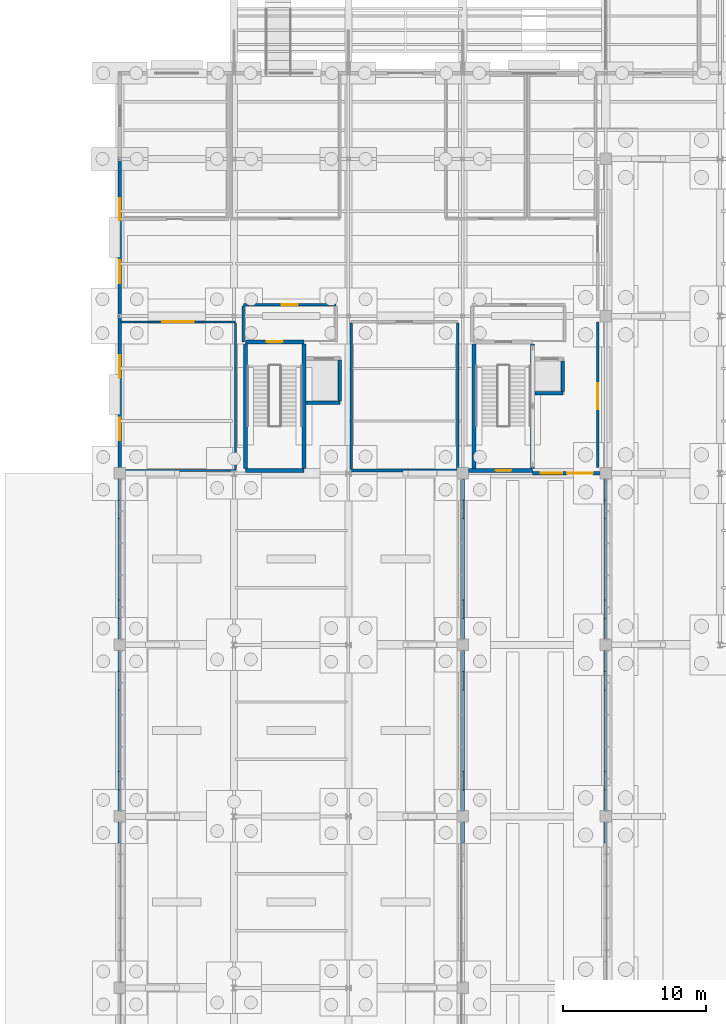
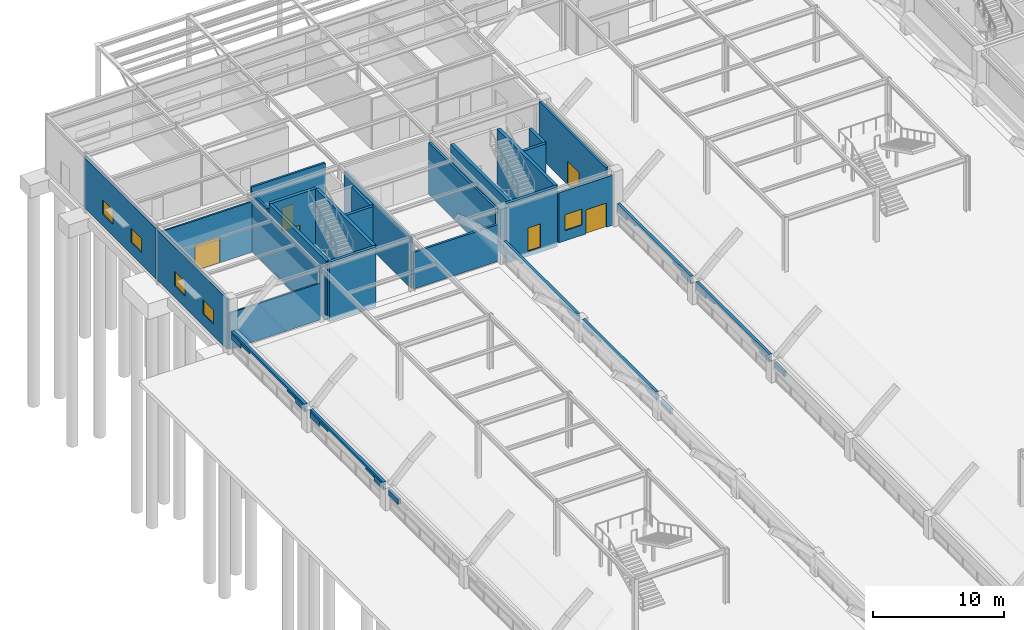
# One storey, part 102 of 129: 56 walls, 6 doors, 5 windows, 11 openings.
"""IFC4 building model written with IfcOpenShell, lengths in metres."""

from ifc_helpers import new_model, si_unit, direction, frame, frame_2d, origin, place, context, subcontext, project, spatial, rectangle, extrude, material, layer, layer_set, type_object, element, fill, save


model = new_model("IFC4")

# Units and contexts
model_context = context("Model", 3, precision=1e-05, world=origin(), true_north=direction((0.0, 1.0)))
body_context = subcontext(model_context, "Body", "Model", "MODEL_VIEW")
ifc_project = project(units=[si_unit("LENGTHUNIT", "METRE"), si_unit("AREAUNIT", "SQUARE_METRE"), si_unit("VOLUMEUNIT", "CUBIC_METRE"), si_unit("PLANEANGLEUNIT", "RADIAN"), si_unit("MASSUNIT", "GRAM", prefix="KILO")], contexts=[model_context])

# Site, building, storey
site_placement = place(None, origin())
site = spatial("IfcSite", under=ifc_project, at=site_placement, CompositionType="ELEMENT")
building_placement = place(site_placement, origin())
building = spatial("IfcBuilding", under=site, at=building_placement, Name="Sitalva Quay Ferry Terminal", CompositionType="ELEMENT")
storey_placement = place(building_placement, origin())
storey = spatial("IfcBuildingStorey", under=building, at=storey_placement, Name="L01", CompositionType="ELEMENT", Elevation=0.0)

# Walls
ifc_material_1 = material(Name="Concrete C40/50", Category="concrete")
ifc_layer_1 = layer(ifc_material_1, 0.215087890625)
ifc_layer_set_1 = layer_set([ifc_layer_1], Name="Concrete C40/50")
wall_type_1 = type_object("IfcWallType", Name="Wall_ArchHaunchIn_C40", PredefinedType="SOLIDWALL", material=ifc_layer_set_1)
for number, where, z_axis, x_axis, name in (
    (1, (8.0, 55.85009765625, 1.639892578125), (0.0, 0.0, 1.0), (0.0, 1.0, 0.0), "V2-W shallow-arch inner haunch S EW-L01-068"),
    (2, (8.0, 62.85009765625, 1.639892578125), (0.0, 0.0, 1.0), (0.0, 1.0, 0.0), "V2-W shallow-arch inner haunch N EW-L01-069"),
    (3, (32.0, 55.85009765625, 1.639892578125), (0.0, 0.0, 1.0), (0.0, 1.0, 0.0), "V2-E shallow-arch inner haunch S EW-L01-073"),
    (4, (32.0, 62.85009765625, 1.639892578125), (0.0, 0.0, 1.0), (0.0, 1.0, 0.0), "V2-E shallow-arch inner haunch N EW-L01-074"),
    (5, (42.0, 55.85009765625, 1.639892578125), (0.0, 0.0, 1.0), (0.0, 1.0, 0.0), "V1-W shallow-arch inner haunch S EW-L01-078"),
    (6, (42.0, 62.85009765625, 1.639892578125), (0.0, 0.0, 1.0), (0.0, 1.0, 0.0), "V1-W shallow-arch inner haunch N EW-L01-079"),
    (7, (8.0, 67.85009765625, 1.639892578125), (0.0, 0.0, 1.0), (0.0, 1.0, 0.0), "V2-W shallow-arch inner haunch S EW-L01-083"),
    (8, (8.0, 74.85009765625, 1.639892578125), (0.0, 0.0, 1.0), (0.0, 1.0, 0.0), "V2-W shallow-arch inner haunch N EW-L01-084"),
    (9, (32.0, 67.85009765625, 1.639892578125), (0.0, 0.0, 1.0), (0.0, 1.0, 0.0), "V2-E shallow-arch inner haunch S EW-L01-088"),
    (10, (32.0, 74.85009765625, 1.639892578125), (0.0, 0.0, 1.0), (0.0, 1.0, 0.0), "V2-E shallow-arch inner haunch N EW-L01-089"),
    (11, (42.0, 67.85009765625, 1.639892578125), (0.0, 0.0, 1.0), (0.0, 1.0, 0.0), "V1-W shallow-arch inner haunch S EW-L01-093"),
    (12, (42.0, 74.85009765625, 1.639892578125), (0.0, 0.0, 1.0), (0.0, 1.0, 0.0), "V1-W shallow-arch inner haunch N EW-L01-094"),
):
    element("IfcWall", number, at=place(storey_placement, frame(where, z_axis=z_axis, x_axis=x_axis)), inside=storey, type_object=wall_type_1, Name=name, PredefinedType="SOLIDWALL", context=body_context, shape_type="SweptSolid", body=[
        extrude(rectangle(XDim=1.2998046875, YDim=0.215087890625, at=frame_2d((0.64990234375, 0.0))), origin(), (0.0, 0.0, 1.0), 0.239990234375),
    ])
ifc_material_2 = material(Name="Concrete C40/50", Category="concrete")
ifc_layer_2 = layer(ifc_material_2, 0.235107421875)
ifc_layer_set_2 = layer_set([ifc_layer_2], Name="Concrete C40/50")
wall_type_2 = type_object("IfcWallType", Name="Wall_ArchHaunchOut_C40", PredefinedType="SOLIDWALL", material=ifc_layer_set_2)
for number, where, z_axis, x_axis, name in (
    (13, (8.0, 52.14990234375, 1.3798828125), (0.0, 0.0, 1.0), (0.0, 1.0, 0.0), "V2-W shallow-arch outer haunch N EW-L01-055"),
    (14, (32.0, 52.14990234375, 1.3798828125), (0.0, 0.0, 1.0), (0.0, 1.0, 0.0), "V2-E shallow-arch outer haunch N EW-L01-060"),
    (15, (42.0, 52.14990234375, 1.3798828125), (0.0, 0.0, 1.0), (0.0, 1.0, 0.0), "V1-W shallow-arch outer haunch N EW-L01-065"),
    (16, (8.0, 54.39990234375, 1.3798828125), (0.0, 0.0, 1.0), (0.0, 1.0, 0.0), "V2-W shallow-arch outer haunch S EW-L01-067"),
    (17, (8.0, 64.14990234375, 1.3798828125), (0.0, 0.0, 1.0), (0.0, 1.0, 0.0), "V2-W shallow-arch outer haunch N EW-L01-070"),
    (18, (32.0, 54.39990234375, 1.3798828125), (0.0, 0.0, 1.0), (0.0, 1.0, 0.0), "V2-E shallow-arch outer haunch S EW-L01-072"),
    (19, (32.0, 64.14990234375, 1.3798828125), (0.0, 0.0, 1.0), (0.0, 1.0, 0.0), "V2-E shallow-arch outer haunch N EW-L01-075"),
    (20, (42.0, 54.39990234375, 1.3798828125), (0.0, 0.0, 1.0), (0.0, 1.0, 0.0), "V1-W shallow-arch outer haunch S EW-L01-077"),
    (21, (42.0, 64.14990234375, 1.3798828125), (0.0, 0.0, 1.0), (0.0, 1.0, 0.0), "V1-W shallow-arch outer haunch N EW-L01-080"),
    (22, (8.0, 66.39990234375, 1.3798828125), (0.0, 0.0, 1.0), (0.0, 1.0, 0.0), "V2-W shallow-arch outer haunch S EW-L01-082"),
    (23, (8.0, 76.14990234375, 1.3798828125), (0.0, 0.0, 1.0), (0.0, 1.0, 0.0), "V2-W shallow-arch outer haunch N EW-L01-085"),
    (24, (32.0, 66.39990234375, 1.3798828125), (0.0, 0.0, 1.0), (0.0, 1.0, 0.0), "V2-E shallow-arch outer haunch S EW-L01-087"),
    (25, (32.0, 76.14990234375, 1.3798828125), (0.0, 0.0, 1.0), (0.0, 1.0, 0.0), "V2-E shallow-arch outer haunch N EW-L01-090"),
    (26, (42.0, 66.39990234375, 1.3798828125), (0.0, 0.0, 1.0), (0.0, 1.0, 0.0), "V1-W shallow-arch outer haunch S EW-L01-092"),
    (27, (42.0, 76.14990234375, 1.3798828125), (0.0, 0.0, 1.0), (0.0, 1.0, 0.0), "V1-W shallow-arch outer haunch N EW-L01-095"),
):
    element("IfcWall", number, at=place(storey_placement, frame(where, z_axis=z_axis, x_axis=x_axis)), inside=storey, type_object=wall_type_2, Name=name, PredefinedType="SOLIDWALL", context=body_context, shape_type="SweptSolid", body=[
        extrude(rectangle(XDim=1.4501953125, YDim=0.235107421875, at=frame_2d((0.72509765625, 0.0))), origin(), (0.0, 0.0, 1.0), 0.5),
    ])
ifc_material_3 = material(Name="Concrete C40/50", Category="concrete")
ifc_layer_3 = layer(ifc_material_3, 0.2451171875)
ifc_layer_set_3 = layer_set([ifc_layer_3], Name="Concrete C40/50")
wall_type_3 = type_object("IfcWallType", Name="Wall_ArchSpandrel_C40", PredefinedType="SOLIDWALL", material=ifc_layer_set_3)
for number, where, z_axis, x_axis, name in (
    (28, (8.0, 54.39990234375, 1.8798828125), (0.0, 0.0, 1.0), (0.0, 1.0, 0.0), "V2-W shallow-arch Concrete C40/50 spandrel fascia EW-L01-066"),
    (29, (32.0, 54.39990234375, 1.8798828125), (0.0, 0.0, 1.0), (0.0, 1.0, 0.0), "V2-E shallow-arch Concrete C40/50 spandrel fascia EW-L01-071"),
    (30, (42.0, 54.39990234375, 1.8798828125), (0.0, 0.0, 1.0), (0.0, 1.0, 0.0), "V1-W shallow-arch Concrete C40/50 spandrel fascia EW-L01-076"),
    (31, (8.0, 66.39990234375, 1.8798828125), (0.0, 0.0, 1.0), (0.0, 1.0, 0.0), "V2-W shallow-arch Concrete C40/50 spandrel fascia EW-L01-081"),
    (32, (32.0, 66.39990234375, 1.8798828125), (0.0, 0.0, 1.0), (0.0, 1.0, 0.0), "V2-E shallow-arch Concrete C40/50 spandrel fascia EW-L01-086"),
    (33, (42.0, 66.39990234375, 1.8798828125), (0.0, 0.0, 1.0), (0.0, 1.0, 0.0), "V1-W shallow-arch Concrete C40/50 spandrel fascia EW-L01-091"),
):
    element("IfcWall", number, at=place(storey_placement, frame(where, z_axis=z_axis, x_axis=x_axis)), inside=storey, type_object=wall_type_3, Name=name, PredefinedType="SOLIDWALL", context=body_context, shape_type="SweptSolid", body=[
        extrude(rectangle(XDim=11.2001953125, YDim=0.2451171875, at=frame_2d((5.60009765625, 0.0))), origin(), (0.0, 0.0, 1.0), 0.22021484375),
    ])
ifc_material_4 = material(Name="Concrete C40/50", Category="concrete")
ifc_layer_4 = layer(ifc_material_4, 0.280029296875)
ifc_layer_set_4 = layer_set([ifc_layer_4], Name="Concrete C40/50")
wall_type_4 = type_object("IfcWallType", Name="Wall_CoreShear_280", PredefinedType="SHEAR", material=ifc_layer_set_4)
wall_1_placement = place(storey_placement, frame((16.800048828125, 78.199951171875, -0.449951171875), z_axis=(0.0, 0.0, 1.0), x_axis=(1.0, 0.0, 0.0)))
element("IfcWall", 34, at=wall_1_placement, inside=storey, type_object=wall_type_4, Name="Core C3 L01 south shear wall", PredefinedType="SHEAR", context=body_context, shape_type="SweptSolid", body=[
    extrude(rectangle(XDim=4.099853515625, YDim=0.280029296875, at=frame_2d((2.0498046875, 0.0))), origin(), (0.0, 0.0, 1.0), 5.570068359375),
])

# Wall, opening, door
wall_2_placement = place(storey_placement, frame((16.800048828125, 87.199951171875, -0.449951171875), z_axis=(0.0, 0.0, 1.0), x_axis=(1.0, 0.0, 0.0)))
wall_2 = element("IfcWall", 35, at=wall_2_placement, inside=storey, type_object=wall_type_4, Name="Core C3 L01 north shear wall", PredefinedType="SHEAR", context=body_context, shape_type="SweptSolid", body=[
    extrude(rectangle(XDim=4.099853515625, YDim=0.280029296875, at=frame_2d((2.0498046875, 0.0))), origin(), (0.0, 0.0, 1.0), 5.570068359375),
])
opening_1_placement = place(wall_2_placement, frame((1.5, 0.0, 0.449951171875)))
opening_1 = element("IfcOpeningElement", 36, at=opening_1_placement, cuts=wall_2, Name="Opening D-L01-016", PredefinedType="OPENING", context=body_context, shape_type="SweptSolid", body=[
    extrude(rectangle(XDim=1.10009765625, YDim=2.199951171875, at=frame_2d((0.550048828125, 1.10009765625))), frame((0.0, 0.14990234375, 0.0), z_axis=(0.0, -1.0, 0.0), x_axis=(1.0, 0.0, 0.0)), (0.0, 0.0, 1.0), 0.300048828125),
])
ifc_material_5 = material(Name="Galvanised Steel Fire Door", Category="steel")
door_type_1 = type_object("IfcDoorType", Name="Door_CoreExit_1100x2200", OperationType="SINGLE_SWING_LEFT", PredefinedType="DOOR", material=ifc_material_5)
door_1_placement = place(opening_1_placement, origin())
door_1 = element("IfcDoor", 37, at=door_1_placement, inside=storey, type_object=door_type_1, Name="DOOR-D-L01-016 Protected stair ST-03 door D-L01-016", OperationType="SINGLE_SWING_RIGHT", OverallHeight=2.199951171875, OverallWidth=1.10009765625, PredefinedType="DOOR", context=body_context, shape_type="SweptSolid", body=[
    extrude(rectangle(XDim=1.10009765625, YDim=2.199951171875, at=frame_2d((0.550048828125, 1.10009765625))), frame((0.0, 0.02490234375, 0.0), z_axis=(0.0, -1.0, 0.0), x_axis=(1.0, 0.0, 0.0)), (0.0, 0.0, 1.0), 0.050048828125),
])
fill(opening_1, door_1)

# Walls
for number, where, z_axis, x_axis, name in (
    (38, (16.800048828125, 78.340087890625, -0.449951171875), (0.0, 0.0, 1.0), (0.0, 1.0, 0.0), "Core C3 L01 west shear wall"),
    (39, (20.89990234375, 78.340087890625, -0.449951171875), (0.0, 0.0, 1.0), (0.0, 1.0, 0.0), "Core C3 L01 east shear wall"),
):
    element("IfcWall", number, at=place(storey_placement, frame(where, z_axis=z_axis, x_axis=x_axis)), inside=storey, type_object=wall_type_4, Name=name, PredefinedType="SHEAR", context=body_context, shape_type="SweptSolid", body=[
        extrude(rectangle(XDim=8.719970703125, YDim=0.280029296875, at=frame_2d((4.35986328125, 0.0))), origin(), (0.0, 0.0, 1.0), 5.570068359375),
    ])

# Wall, opening, door
wall_3_placement = place(storey_placement, frame((36.89990234375, 78.199951171875, -0.449951171875), z_axis=(0.0, 0.0, 1.0), x_axis=(-1.0, 0.0, 0.0)))
wall_3 = element("IfcWall", 40, at=wall_3_placement, inside=storey, type_object=wall_type_4, Name="Core C5 L01 south shear wall", PredefinedType="SHEAR", context=body_context, shape_type="SweptSolid", body=[
    extrude(rectangle(XDim=4.5, YDim=0.280029296875, at=frame_2d((2.25, 0.0))), origin(), (0.0, 0.0, 1.0), 5.570068359375),
])
opening_2_placement = place(wall_3_placement, frame((1.5, 0.0, 0.449951171875)))
opening_2 = element("IfcOpeningElement", 41, at=opening_2_placement, cuts=wall_3, Name="Opening ED-L01-C5", PredefinedType="OPENING", context=body_context, shape_type="SweptSolid", body=[
    extrude(rectangle(XDim=1.10009765625, YDim=2.199951171875, at=frame_2d((0.550048828125, 1.10009765625))), frame((0.0, 0.14990234375, 0.0), z_axis=(0.0, -1.0, 0.0), x_axis=(1.0, 0.0, 0.0)), (0.0, 0.0, 1.0), 0.300048828125),
])
door_2_placement = place(opening_2_placement, origin())
door_2 = element("IfcDoor", 42, at=door_2_placement, inside=storey, type_object=door_type_1, Name="EDOOR-ED-L01-C5 Exit stair ST-05 direct courtyard exit door ED-L01-C5", OperationType="SINGLE_SWING_LEFT", OverallHeight=2.199951171875, OverallWidth=1.10009765625, PredefinedType="DOOR", context=body_context, shape_type="SweptSolid", body=[
    extrude(rectangle(XDim=1.10009765625, YDim=2.199951171875, at=frame_2d((0.550048828125, 1.10009765625))), frame((0.0, 0.02490234375, 0.0), z_axis=(0.0, -1.0, 0.0), x_axis=(1.0, 0.0, 0.0)), (0.0, 0.0, 1.0), 0.050048828125),
])
fill(opening_2, door_2)

# Walls
for number, where, z_axis, x_axis, name in (
    (43, (32.800048828125, 78.340087890625, -0.449951171875), (0.0, 0.0, 1.0), (0.0, 1.0, 0.0), "Core C5 L01 west shear wall"),
    (44, (36.89990234375, 78.340087890625, -0.449951171875), (0.0, 0.0, 1.0), (0.0, 1.0, 0.0), "Core C5 L01 east shear wall"),
):
    element("IfcWall", number, at=place(storey_placement, frame(where, z_axis=z_axis, x_axis=x_axis)), inside=storey, type_object=wall_type_4, Name=name, PredefinedType="SHEAR", context=body_context, shape_type="SweptSolid", body=[
        extrude(rectangle(XDim=8.719970703125, YDim=0.280029296875, at=frame_2d((4.35986328125, 0.0))), origin(), (0.0, 0.0, 1.0), 5.570068359375),
    ])

# Wall, openings, windows
ifc_material_6 = material(Name="Insulated Precast Concrete C40/50", Category="concrete")
ifc_layer_5 = layer(ifc_material_6, 0.239990234375)
ifc_layer_set_5 = layer_set([ifc_layer_5], Name="Insulated Precast Concrete C40/50")
wall_type_5 = type_object("IfcWallType", Name="Wall_ExtClad_240", PredefinedType="ELEMENTEDWALL", material=ifc_layer_set_5)
wall_4_placement = place(storey_placement, frame((8.0, 78.300048828125, 0.0), z_axis=(0.0, 0.0, 1.0), x_axis=(0.0, 1.0, 0.0)))
wall_4 = element("IfcWall", 45, at=wall_4_placement, inside=storey, type_object=wall_type_5, Name="L01 west service wing wall EW-L01-138", PredefinedType="ELEMENTEDWALL", context=body_context, shape_type="SweptSolid", body=[
    extrude(rectangle(XDim=10.822021484375, YDim=0.239990234375, at=frame_2d((5.4111328125, 0.0))), origin(), (0.0, 0.0, 1.0), 4.694091796875),
])
opening_3_placement = place(wall_4_placement, frame((2.0, 0.0, 1.10009765625)))
opening_3 = element("IfcOpeningElement", 46, at=opening_3_placement, cuts=wall_4, Name="Opening WN-L01-011", PredefinedType="OPENING", context=body_context, shape_type="SweptSolid", body=[
    extrude(rectangle(XDim=1.60009765625, YDim=1.300048828125, at=frame_2d((0.800048828125, 0.64990234375))), frame((0.0, 0.1298828125, 0.0), z_axis=(0.0, -1.0, 0.0), x_axis=(1.0, 0.0, 0.0)), (0.0, 0.0, 1.0), 0.260009765625),
])
opening_4_placement = place(wall_4_placement, frame((6.39990234375, 0.0, 1.10009765625)))
opening_4 = element("IfcOpeningElement", 47, at=opening_4_placement, cuts=wall_4, Name="Opening WN-L01-012", PredefinedType="OPENING", context=body_context, shape_type="SweptSolid", body=[
    extrude(rectangle(XDim=1.550048828125, YDim=1.35009765625, at=frame_2d((0.77490234375, 0.675048828125))), frame((0.0, 0.1298828125, 0.0), z_axis=(0.0, -1.0, 0.0), x_axis=(1.0, 0.0, 0.0)), (0.0, 0.0, 1.0), 0.260009765625),
])
ifc_material_7 = material(Name="Laminated Security Glazing", Category="glass")
window_type_1 = type_object("IfcWindowType", Name="Win_CustomsB_1550x1350", PartitioningType="SINGLE_PANEL", PredefinedType="WINDOW", material=ifc_material_7)
window_1_placement = place(opening_4_placement, origin())
window_1 = element("IfcWindow", 48, at=window_1_placement, inside=storey, type_object=window_type_1, Name="Customs hall west window WN-L01-012", OverallHeight=1.35009765625, OverallWidth=1.550048828125, PartitioningType="SINGLE_PANEL", PredefinedType="WINDOW", context=body_context, shape_type="SweptSolid", body=[
    extrude(rectangle(XDim=1.550048828125, YDim=1.35009765625, at=frame_2d((0.77490234375, 0.675048828125))), frame((0.0, 0.030029296875, 0.0), z_axis=(0.0, -1.0, 0.0), x_axis=(1.0, 0.0, 0.0)), (0.0, 0.0, 1.0), 0.06005859375),
])
fill(opening_4, window_1)
ifc_material_8 = material(Name="Laminated Security Glazing", Category="glass")
window_type_2 = type_object("IfcWindowType", Name="Win_Customs_1600x1300", PartitioningType="SINGLE_PANEL", PredefinedType="WINDOW", material=ifc_material_8)
window_2_placement = place(opening_3_placement, origin())
window_2 = element("IfcWindow", 49, at=window_2_placement, inside=storey, type_object=window_type_2, Name="Customs hall west window WN-L01-011", OverallHeight=1.300048828125, OverallWidth=1.60009765625, PartitioningType="SINGLE_PANEL", PredefinedType="WINDOW", context=body_context, shape_type="SweptSolid", body=[
    extrude(rectangle(XDim=1.60009765625, YDim=1.300048828125, at=frame_2d((0.800048828125, 0.64990234375))), frame((0.0, 0.030029296875, 0.0), z_axis=(0.0, -1.0, 0.0), x_axis=(1.0, 0.0, 0.0)), (0.0, 0.0, 1.0), 0.06005859375),
])
fill(opening_3, window_2)

wall_5_placement = place(storey_placement, frame((8.0, 89.110107421875, 0.0), z_axis=(0.0, 0.0, 1.0), x_axis=(0.0, 1.0, 0.0)))
wall_5 = element("IfcWall", 50, at=wall_5_placement, inside=storey, type_object=wall_type_5, Name="L01 west service wing wall EW-L01-139", PredefinedType="ELEMENTEDWALL", context=body_context, shape_type="SweptSolid", body=[
    extrude(rectangle(XDim=11.011962890625, YDim=0.239990234375, at=frame_2d((5.505859375, 0.0))), origin(), (0.0, 0.0, 1.0), 4.694091796875),
])
opening_5_placement = place(wall_5_placement, frame((2.18994140625, 0.0, 1.10009765625)))
opening_5 = element("IfcOpeningElement", 51, at=opening_5_placement, cuts=wall_5, Name="Opening WN-L01-013", PredefinedType="OPENING", context=body_context, shape_type="SweptSolid", body=[
    extrude(rectangle(XDim=1.60009765625, YDim=1.300048828125, at=frame_2d((0.800048828125, 0.64990234375))), frame((0.0, 0.1298828125, 0.0), z_axis=(0.0, -1.0, 0.0), x_axis=(1.0, 0.0, 0.0)), (0.0, 0.0, 1.0), 0.260009765625),
])
opening_6_placement = place(wall_5_placement, frame((6.590087890625, 0.0, 1.10009765625)))
opening_6 = element("IfcOpeningElement", 52, at=opening_6_placement, cuts=wall_5, Name="Opening WN-L01-014", PredefinedType="OPENING", context=body_context, shape_type="SweptSolid", body=[
    extrude(rectangle(XDim=1.550048828125, YDim=1.35009765625, at=frame_2d((0.77490234375, 0.675048828125))), frame((0.0, 0.1298828125, 0.0), z_axis=(0.0, -1.0, 0.0), x_axis=(1.0, 0.0, 0.0)), (0.0, 0.0, 1.0), 0.260009765625),
])
window_3_placement = place(opening_6_placement, origin())
window_3 = element("IfcWindow", 53, at=window_3_placement, inside=storey, type_object=window_type_1, Name="Customs hall west window WN-L01-014", OverallHeight=1.35009765625, OverallWidth=1.550048828125, PartitioningType="SINGLE_PANEL", PredefinedType="WINDOW", context=body_context, shape_type="SweptSolid", body=[
    extrude(rectangle(XDim=1.550048828125, YDim=1.35009765625, at=frame_2d((0.77490234375, 0.675048828125))), frame((0.0, 0.030029296875, 0.0), z_axis=(0.0, -1.0, 0.0), x_axis=(1.0, 0.0, 0.0)), (0.0, 0.0, 1.0), 0.06005859375),
])
fill(opening_6, window_3)
window_4_placement = place(opening_5_placement, origin())
window_4 = element("IfcWindow", 54, at=window_4_placement, inside=storey, type_object=window_type_2, Name="Customs hall west window WN-L01-013", OverallHeight=1.300048828125, OverallWidth=1.60009765625, PartitioningType="SINGLE_PANEL", PredefinedType="WINDOW", context=body_context, shape_type="SweptSolid", body=[
    extrude(rectangle(XDim=1.60009765625, YDim=1.300048828125, at=frame_2d((0.800048828125, 0.64990234375))), frame((0.0, 0.030029296875, 0.0), z_axis=(0.0, -1.0, 0.0), x_axis=(1.0, 0.0, 0.0)), (0.0, 0.0, 1.0), 0.06005859375),
])
fill(opening_5, window_4)

# Wall, openings, door, window
wall_6_placement = place(storey_placement, frame((36.89990234375, 78.0, 0.0), z_axis=(0.0, 0.0, 1.0), x_axis=(1.0, 0.0, 0.0)))
wall_6 = element("IfcWall", 55, at=wall_6_placement, inside=storey, type_object=wall_type_5, Name="Central monsoon court north wall EW-L01-141", PredefinedType="ELEMENTEDWALL", context=body_context, shape_type="SweptSolid", body=[
    extrude(rectangle(XDim=4.75, YDim=0.239990234375, at=frame_2d((2.375, 0.0))), origin(), (0.0, 0.0, 1.0), 4.657958984375),
])
opening_7_placement = place(wall_6_placement, frame((2.39990234375, 0.0, 0.0)))
opening_7 = element("IfcOpeningElement", 56, at=opening_7_placement, cuts=wall_6, Name="Opening ED-L01-026", PredefinedType="OPENING", context=body_context, shape_type="SweptSolid", body=[
    extrude(rectangle(XDim=1.800048828125, YDim=2.25, at=frame_2d((0.89990234375, 1.125))), frame((0.0, 0.1298828125, 0.0), z_axis=(0.0, -1.0, 0.0), x_axis=(1.0, 0.0, 0.0)), (0.0, 0.0, 1.0), 0.260009765625),
])
opening_8_placement = place(wall_6_placement, frame((0.550048828125, 0.0, 0.949951171875)))
opening_8 = element("IfcOpeningElement", 57, at=opening_8_placement, cuts=wall_6, Name="Opening WN-L01-015", PredefinedType="OPENING", context=body_context, shape_type="SweptSolid", body=[
    extrude(rectangle(XDim=1.5, YDim=1.5, at=frame_2d((0.75, 0.75))), frame((0.0, 0.1298828125, 0.0), z_axis=(0.0, -1.0, 0.0), x_axis=(1.0, 0.0, 0.0)), (0.0, 0.0, 1.0), 0.260009765625),
])
ifc_material_9 = material(Name="Anodised Aluminium & Low-E Glass", Category="aluminium")
door_type_2 = type_object("IfcDoorType", Name="Door_Terrace_1800x2250", OperationType="DOUBLE_DOOR_SINGLE_SWING", PredefinedType="DOOR", material=ifc_material_9)
door_3_placement = place(opening_7_placement, origin())
door_3 = element("IfcDoor", 58, at=door_3_placement, inside=storey, type_object=door_type_2, Name="EDOOR-ED-L01-026 Central monsoon garden courtyard entrance ED-L01-026", OperationType="DOUBLE_DOOR_SINGLE_SWING", OverallHeight=2.25, OverallWidth=1.800048828125, PredefinedType="DOOR", context=body_context, shape_type="SweptSolid", body=[
    extrude(rectangle(XDim=1.800048828125, YDim=2.25, at=frame_2d((0.89990234375, 1.125))), frame((0.0, 0.02490234375, 0.0), z_axis=(0.0, -1.0, 0.0), x_axis=(1.0, 0.0, 0.0)), (0.0, 0.0, 1.0), 0.050048828125),
])
fill(opening_7, door_3)
ifc_material_10 = material(Name="Anodised Aluminium & Low-E Glass", Category="aluminium")
window_type_3 = type_object("IfcWindowType", Name="Win_Office_1500x1500", PartitioningType="SINGLE_PANEL", PredefinedType="WINDOW", material=ifc_material_10)
window_5_placement = place(opening_8_placement, origin())
window_5 = element("IfcWindow", 59, at=window_5_placement, inside=storey, type_object=window_type_3, Name="Monsoon court window M WN-L01-015", OverallHeight=1.5, OverallWidth=1.5, PartitioningType="SINGLE_PANEL", PredefinedType="WINDOW", context=body_context, shape_type="SweptSolid", body=[
    extrude(rectangle(XDim=1.5, YDim=1.5, at=frame_2d((0.75, 0.75))), frame((0.0, 0.030029296875, 0.0), z_axis=(0.0, -1.0, 0.0), x_axis=(1.0, 0.0, 0.0)), (0.0, 0.0, 1.0), 0.06005859375),
])
fill(opening_8, window_5)

# Wall, opening, door
ifc_material_11 = material(Name="Concrete Blockwork C25/30", Category="masonry")
ifc_layer_6 = layer(ifc_material_11, 0.199951171875)
ifc_layer_set_6 = layer_set([ifc_layer_6], Name="Concrete Blockwork C25/30")
wall_type_6 = type_object("IfcWallType", Name="Wall_FireComp_200", PredefinedType="SOLIDWALL", material=ifc_layer_set_6)
wall_7_placement = place(storey_placement, frame((41.449951171875, 78.39990234375, 0.0), z_axis=(0.0, 0.0, 1.0), x_axis=(0.0, 1.0, 0.0)))
wall_7 = element("IfcWall", 60, at=wall_7_placement, inside=storey, type_object=wall_type_6, Name="V1 west hall-to-wing wall IW-L01-0113", PredefinedType="SOLIDWALL", context=body_context, shape_type="SweptSolid", body=[
    extrude(rectangle(XDim=10.2001953125, YDim=0.199951171875, at=frame_2d((5.10009765625, 0.0))), origin(), (0.0, 0.0, 1.0), 5.1201171875),
])
opening_9_placement = place(wall_7_placement, frame((4.10009765625, 0.0, 0.0)))
opening_9 = element("IfcOpeningElement", 61, at=opening_9_placement, cuts=wall_7, Name="Opening ID-L01-039", PredefinedType="OPENING", context=body_context, shape_type="SweptSolid", body=[
    extrude(rectangle(XDim=1.800048828125, YDim=2.199951171875, at=frame_2d((0.89990234375, 1.10009765625))), frame((0.0, 0.10986328125, 0.0), z_axis=(0.0, -1.0, 0.0), x_axis=(1.0, 0.0, 0.0)), (0.0, 0.0, 1.0), 0.219970703125),
])
ifc_material_12 = material(Name="Glazed Steel Fire Door", Category="steel")
door_type_3 = type_object("IfcDoorType", Name="Door_FireCorridor_1800x2200", OperationType="DOUBLE_DOOR_SINGLE_SWING", PredefinedType="DOOR", material=ifc_material_12)
door_4_placement = place(opening_9_placement, origin())
door_4 = element("IfcDoor", 62, at=door_4_placement, inside=storey, type_object=door_type_3, Name="IDOOR-ID-L01-039 V1 west concourse portal ID-L01-039", OperationType="DOUBLE_DOOR_SINGLE_SWING", OverallHeight=2.199951171875, OverallWidth=1.800048828125, PredefinedType="DOOR", context=body_context, shape_type="SweptSolid", body=[
    extrude(rectangle(XDim=1.800048828125, YDim=2.199951171875, at=frame_2d((0.89990234375, 1.10009765625))), frame((0.0, 0.02490234375, 0.0), z_axis=(0.0, -1.0, 0.0), x_axis=(1.0, 0.0, 0.0)), (0.0, 0.0, 1.0), 0.050048828125),
])
fill(opening_9, door_4)

ifc_material_13 = material(Name="Fire-Rated Blockwork C25/30", Category="masonry")
ifc_layer_7 = layer(ifc_material_13, 0.179931640625)
ifc_layer_set_7 = layer_set([ifc_layer_7], Name="Fire-Rated Blockwork C25/30")
wall_type_7 = type_object("IfcWallType", Name="Wall_FireLobby_180", PredefinedType="SOLIDWALL", material=ifc_layer_set_7)
wall_8_placement = place(storey_placement, frame((16.64990234375, 89.800048828125, 0.0), z_axis=(0.0, 0.0, 1.0), x_axis=(1.0, 0.0, 0.0)))
wall_8 = element("IfcWall", 63, at=wall_8_placement, inside=storey, type_object=wall_type_7, Name="Firefighting & Lift Lobby C3 N wall IW-L01-0046", PredefinedType="SOLIDWALL", context=body_context, shape_type="SweptSolid", body=[
    extrude(rectangle(XDim=6.5, YDim=0.179931640625, at=frame_2d((3.25, 0.0))), origin(), (0.0, 0.0, 1.0), 5.10009765625),
])
opening_10_placement = place(wall_8_placement, frame((2.699951171875, 0.0, 0.0)))
opening_10 = element("IfcOpeningElement", 64, at=opening_10_placement, cuts=wall_8, Name="Opening ID-L01-016", PredefinedType="OPENING", context=body_context, shape_type="SweptSolid", body=[
    extrude(rectangle(XDim=1.10009765625, YDim=2.199951171875, at=frame_2d((0.550048828125, 1.10009765625))), frame((0.0, 0.099853515625, 0.0), z_axis=(0.0, -1.0, 0.0), x_axis=(1.0, 0.0, 0.0)), (0.0, 0.0, 1.0), 0.199951171875),
])
ifc_material_14 = material(Name="Steel Fire Door", Category="steel")
door_type_4 = type_object("IfcDoorType", Name="Door_FireLobby_1100x2200", OperationType="SINGLE_SWING_LEFT", PredefinedType="DOOR", material=ifc_material_14)
door_5_placement = place(opening_10_placement, origin())
door_5 = element("IfcDoor", 65, at=door_5_placement, inside=storey, type_object=door_type_4, Name="IDOOR-ID-L01-016 Firefighting & Lift Lobby C3 entrance ID-L01-016", OperationType="SINGLE_SWING_RIGHT", OverallHeight=2.199951171875, OverallWidth=1.10009765625, PredefinedType="DOOR", context=body_context, shape_type="SweptSolid", body=[
    extrude(rectangle(XDim=1.10009765625, YDim=2.199951171875, at=frame_2d((0.550048828125, 1.10009765625))), frame((0.0, 0.02490234375, 0.0), z_axis=(0.0, -1.0, 0.0), x_axis=(1.0, 0.0, 0.0)), (0.0, 0.0, 1.0), 0.050048828125),
])
fill(opening_10, door_5)

# Walls
wall_9_placement = place(storey_placement, frame((16.64990234375, 87.199951171875, 0.0), z_axis=(0.0, 0.0, 1.0), x_axis=(0.0, 1.0, 0.0)))
element("IfcWall", 66, at=wall_9_placement, inside=storey, type_object=wall_type_7, Name="Firefighting & Lift Lobby C3 W wall IW-L01-0047", PredefinedType="SOLIDWALL", context=body_context, shape_type="SweptSolid", body=[
    extrude(rectangle(XDim=2.510009765625, YDim=0.179931640625, at=frame_2d((1.2548828125, 0.0))), origin(), (0.0, 0.0, 1.0), 4.659912109375),
])
ifc_material_15 = material(Name="Concrete C35/45", Category="concrete")
ifc_layer_8 = layer(ifc_material_15, 0.25)
ifc_layer_set_8 = layer_set([ifc_layer_8], Name="Concrete C35/45")
wall_type_8 = type_object("IfcWallType", Name="Wall_LiftShaft_250", PredefinedType="SOLIDWALL", material=ifc_layer_set_8)
wall_10_placement = place(storey_placement, frame((21.044921875, 82.949951171875, -1.60009765625), z_axis=(0.0, 0.0, 1.0), x_axis=(1.0, 0.0, 0.0)))
element("IfcWall", 67, at=wall_10_placement, inside=storey, type_object=wall_type_8, Name="Lift LF-08 L01 south shaft wall", PredefinedType="SOLIDWALL", context=body_context, shape_type="SweptSolid", body=[
    extrude(rectangle(XDim=2.35498046875, YDim=0.25, at=frame_2d((1.177490234375, 0.0))), origin(), (0.0, 0.0, 1.0), 6.72021484375),
])
wall_11_placement = place(storey_placement, frame((23.39990234375, 83.074951171875, -1.60009765625), z_axis=(0.0, 0.0, 1.0), x_axis=(0.0, 1.0, 0.0)))
element("IfcWall", 68, at=wall_11_placement, inside=storey, type_object=wall_type_8, Name="Lift LF-08 L01 east shaft wall", PredefinedType="SOLIDWALL", context=body_context, shape_type="SweptSolid", body=[
    extrude(rectangle(XDim=2.85009765625, YDim=0.25, at=frame_2d((1.425048828125, 0.0))), origin(), (0.0, 0.0, 1.0), 6.72021484375),
])
wall_12_placement = place(storey_placement, frame((37.044921875, 83.60009765625, -1.60009765625), z_axis=(0.0, 0.0, 1.0), x_axis=(1.0, 0.0, 0.0)))
element("IfcWall", 69, at=wall_12_placement, inside=storey, type_object=wall_type_8, Name="Lift LF-05 L01 south shaft wall", PredefinedType="SOLIDWALL", context=body_context, shape_type="SweptSolid", body=[
    extrude(rectangle(XDim=1.955078125, YDim=0.25, at=frame_2d((0.9775390625, 0.0))), origin(), (0.0, 0.0, 1.0), 6.72021484375),
])
wall_13_placement = place(storey_placement, frame((39.0, 83.72509765625, -1.60009765625), z_axis=(0.0, 0.0, 1.0), x_axis=(0.0, 1.0, 0.0)))
element("IfcWall", 70, at=wall_13_placement, inside=storey, type_object=wall_type_8, Name="Lift LF-05 L01 east shaft wall", PredefinedType="SOLIDWALL", context=body_context, shape_type="SweptSolid", body=[
    extrude(rectangle(XDim=2.14990234375, YDim=0.25, at=frame_2d((1.074951171875, 0.0))), origin(), (0.0, 0.0, 1.0), 6.72021484375),
])
ifc_material_16 = material(Name="Acoustic Twin-Stud Gypsum Partition", Category="gypsum")
ifc_layer_9 = layer(ifc_material_16, 0.14990234375)
ifc_layer_set_9 = layer_set([ifc_layer_9], Name="Acoustic Twin-Stud Gypsum Partition")
wall_type_9 = type_object("IfcWallType", Name="Wall_Partition_150", PredefinedType="PARTITIONING", material=ifc_layer_set_9)
wall_14_placement = place(storey_placement, frame((8.080078125, 78.199951171875, 0.0), z_axis=(0.0, 0.0, 1.0), x_axis=(1.0, 0.0, 0.0)))
element("IfcWall", 71, at=wall_14_placement, inside=storey, type_object=wall_type_9, Name="Arrivals Baggage Reclaim Hall S wall IW-L01-0146", PredefinedType="PARTITIONING", context=body_context, shape_type="SweptSolid", body=[
    extrude(rectangle(XDim=8.02001953125, YDim=0.14990234375, at=frame_2d((4.010009765625, 0.0))), origin(), (0.0, 0.0, 1.0), 3.414794921875),
])

# Wall, opening, door
wall_15_placement = place(storey_placement, frame((8.080078125, 88.60009765625, 0.0), z_axis=(0.0, 0.0, 1.0), x_axis=(1.0, 0.0, 0.0)))
wall_15 = element("IfcWall", 72, at=wall_15_placement, inside=storey, type_object=wall_type_9, Name="Arrivals Baggage Reclaim Hall N wall IW-L01-0147", PredefinedType="PARTITIONING", context=body_context, shape_type="SweptSolid", body=[
    extrude(rectangle(XDim=8.02001953125, YDim=0.14990234375, at=frame_2d((4.010009765625, 0.0))), origin(), (0.0, 0.0, 1.0), 4.696044921875),
])
opening_11_placement = place(wall_15_placement, frame((2.909912109375, 0.0, 0.0)))
opening_11 = element("IfcOpeningElement", 73, at=opening_11_placement, cuts=wall_15, Name="Opening ID-L01-054", PredefinedType="OPENING", context=body_context, shape_type="SweptSolid", body=[
    extrude(rectangle(XDim=2.199951171875, YDim=2.449951171875, at=frame_2d((1.10009765625, 1.22509765625))), frame((0.0, 0.0849609375, 0.0), z_axis=(0.0, -1.0, 0.0), x_axis=(1.0, 0.0, 0.0)), (0.0, 0.0, 1.0), 0.169921875),
])
ifc_material_17 = material(Name="Frameless Toughened Glass Portal", Category="glass")
door_type_5 = type_object("IfcDoorType", Name="Door_Concourse_2200x2450", OperationType="DOUBLE_DOOR_SINGLE_SWING", PredefinedType="DOOR", material=ifc_material_17)
door_6_placement = place(opening_11_placement, origin())
door_6 = element("IfcDoor", 74, at=door_6_placement, inside=storey, type_object=door_type_5, Name="IDOOR-ID-L01-054 Arrivals Baggage Reclaim Hall entrance ID-L01-054", OperationType="DOUBLE_DOOR_SINGLE_SWING", OverallHeight=2.449951171875, OverallWidth=2.199951171875, PredefinedType="DOOR", context=body_context, shape_type="SweptSolid", body=[
    extrude(rectangle(XDim=2.199951171875, YDim=2.449951171875, at=frame_2d((1.10009765625, 1.22509765625))), frame((0.0, 0.02490234375, 0.0), z_axis=(0.0, -1.0, 0.0), x_axis=(1.0, 0.0, 0.0)), (0.0, 0.0, 1.0), 0.050048828125),
])
fill(opening_11, door_6)

# Walls
wall_16_placement = place(storey_placement, frame((16.10009765625, 78.27490234375, 0.0), z_axis=(0.0, 0.0, 1.0), x_axis=(0.0, 1.0, 0.0)))
element("IfcWall", 75, at=wall_16_placement, inside=storey, type_object=wall_type_9, Name="Arrivals Baggage Reclaim Hall E wall IW-L01-0148", PredefinedType="PARTITIONING", context=body_context, shape_type="SweptSolid", body=[
    extrude(rectangle(XDim=10.25, YDim=0.14990234375, at=frame_2d((5.125, 0.0))), origin(), (0.0, 0.0, 1.0), 4.696044921875),
])
ifc_material_18 = material(Name="Concrete Blockwork C30/37", Category="masonry")
ifc_layer_10 = layer(ifc_material_18, 0.195068359375)
ifc_layer_set_10 = layer_set([ifc_layer_10], Name="Concrete Blockwork C30/37")
wall_type_10 = type_object("IfcWallType", Name="Wall_Security_195", PredefinedType="SOLIDWALL", material=ifc_layer_set_10)
wall_17_placement = place(storey_placement, frame((24.199951171875, 78.199951171875, 0.0), z_axis=(0.0, 0.0, 1.0), x_axis=(1.0, 0.0, 0.0)))
element("IfcWall", 76, at=wall_17_placement, inside=storey, type_object=wall_type_10, Name="Customs & River Border Inspection S wall IW-L01-0149", PredefinedType="SOLIDWALL", context=body_context, shape_type="SweptSolid", body=[
    extrude(rectangle(XDim=7.449951171875, YDim=0.195068359375, at=frame_2d((3.72509765625, 0.0))), origin(), (0.0, 0.0, 1.0), 3.414794921875),
])
wall_18_placement = place(storey_placement, frame((24.199951171875, 78.297607421875, 0.0), z_axis=(0.0, 0.0, 1.0), x_axis=(0.0, 1.0, 0.0)))
element("IfcWall", 77, at=wall_18_placement, inside=storey, type_object=wall_type_10, Name="Customs & River Border Inspection W wall IW-L01-0151", PredefinedType="SOLIDWALL", context=body_context, shape_type="SweptSolid", body=[
    extrude(rectangle(XDim=10.204833984375, YDim=0.195068359375, at=frame_2d((5.1025390625, 0.0))), origin(), (0.0, 0.0, 1.0), 4.702880859375),
])
wall_19_placement = place(storey_placement, frame((31.64990234375, 78.297607421875, 0.0), z_axis=(0.0, 0.0, 1.0), x_axis=(0.0, 1.0, 0.0)))
element("IfcWall", 78, at=wall_19_placement, inside=storey, type_object=wall_type_10, Name="Customs & River Border Inspection E wall IW-L01-0152", PredefinedType="SOLIDWALL", context=body_context, shape_type="SweptSolid", body=[
    extrude(rectangle(XDim=10.204833984375, YDim=0.195068359375, at=frame_2d((5.1025390625, 0.0))), origin(), (0.0, 0.0, 1.0), 4.806884765625),
])

save(model, "model.ifc")
